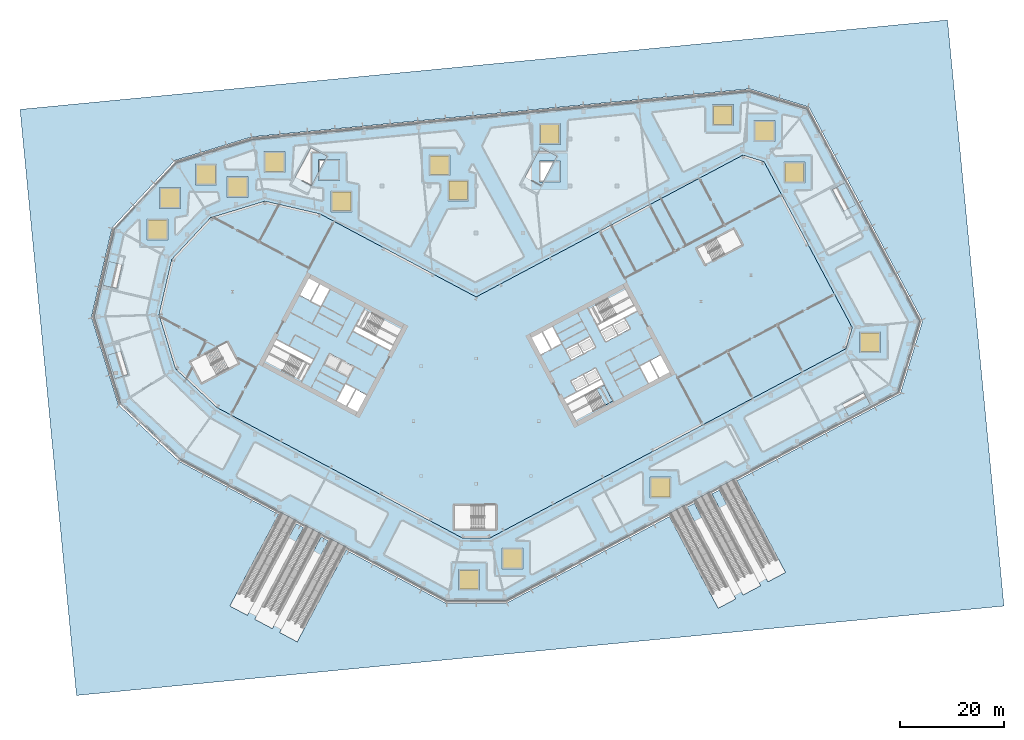
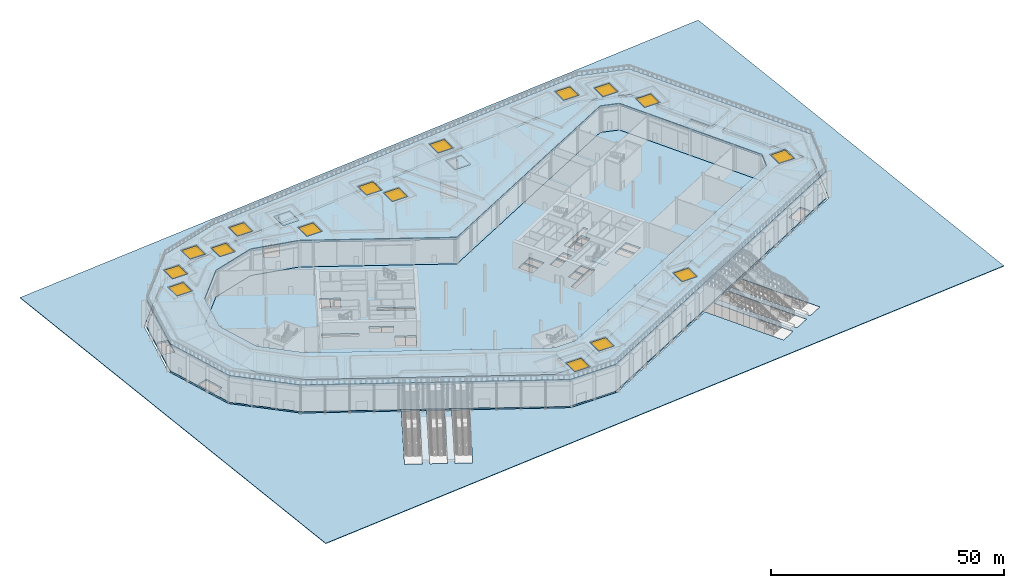
# One storey, part 12 of 57: 16 windows, 6 slabs, 16 openings, 1 element without a shape of its own.
"""IFC4 building model written with IfcOpenShell, lengths in metres."""

from ifc_helpers import new_model, si_unit, direction, frame, origin, origin_2d, place, context, subcontext, project, spatial, polyline, rectangle, outline, extrude, material, layer, layer_set, type_object, element, fill, aggregate, save


model = new_model("IFC4")

# Units and contexts
model_context = context("Model", 3, precision=1e-05, world=origin(), true_north=direction((0.0, 1.0)))
body_context = subcontext(model_context, "Body", "Model", "MODEL_VIEW")
ifc_project = project(units=[si_unit("LENGTHUNIT", "METRE"), si_unit("AREAUNIT", "SQUARE_METRE"), si_unit("VOLUMEUNIT", "CUBIC_METRE"), si_unit("PLANEANGLEUNIT", "RADIAN"), si_unit("MASSUNIT", "GRAM", prefix="KILO")], contexts=[model_context])

# Site, building, storey
site_placement = place(None, origin())
site = spatial("IfcSite", under=ifc_project, at=site_placement, CompositionType="ELEMENT")
building_placement = place(site_placement, origin())
building = spatial("IfcBuilding", under=site, at=building_placement, Name="Cormorant Relay Tower", CompositionType="ELEMENT")
storey_placement = place(building_placement, origin())
storey = spatial("IfcBuildingStorey", under=building, at=storey_placement, Name="L00", CompositionType="ELEMENT", Elevation=0.0)

# Slab
ifc_material_1 = material(Name="Limestone paving", Category="masonry")
ifc_layer_1 = layer(ifc_material_1, 0.050048828125)
ifc_layer_set_1 = layer_set([ifc_layer_1], Name="Deck paving 50")
slab_type_1 = type_object("IfcSlabType", Name="Deck paving 50", PredefinedType="FLOOR", material=ifc_layer_set_1)
slab_1_placement = place(storey_placement, frame((0.0, 0.0, 6.949951171875)))
element("IfcSlab", 1, at=slab_1_placement, inside=storey, type_object=slab_type_1, Name="Deck paving", PredefinedType="FLOOR", context=body_context, shape_type="SweptSolid", body=[
    extrude(outline(polyline([(-5.640869140625, -34.37548828125), (5.640869140625, -34.37548828125), (80.8046875, 5.58984375), (84.95166015625, 19.15380859375), (63.383544921875, 59.71728515625), (52.289794921875, 63.109130859375), (-42.819091796875, 53.942138671875), (-57.4443359375, 49.470703125), (-69.24365234375, 36.8173828125), (-73.135498046875, 19.959716796875), (-68.0771484375, 3.41455078125), (-56.6201171875, -7.269287109375), (-5.640869140625, -34.37548828125)]), holes=[polyline([(2.648681640625, -22.37548828125), (70.7822265625, 13.8515625), (72.022705078125, 17.908935546875), (55.12158203125, 49.695068359375), (51.064453125, 50.935302734375), (0.0, 23.783935546875), (-29.873779296875, 39.668212890625), (-40.465576171875, 42.11328125), (-50.86083984375, 38.935302734375), (-58.2744140625, 30.985107421875), (-60.7197265625, 20.393310546875), (-57.541748046875, 9.997802734375), (-49.591552734375, 2.584228515625), (-2.648681640625, -22.37548828125), (2.648681640625, -22.37548828125)]), polyline([(-59.02392578125, 38.719970703125), (-63.02392578125, 38.719970703125), (-63.02392578125, 34.719970703125), (-59.02392578125, 34.719970703125), (-59.02392578125, 38.719970703125)]), polyline([(-23.760009765625, 44.093017578125), (-27.760009765625, 44.093017578125), (-27.760009765625, 40.093017578125), (-23.760009765625, 40.093017578125), (-23.760009765625, 44.093017578125)]), polyline([(-56.6240234375, 44.719970703125), (-60.6240234375, 44.719970703125), (-60.6240234375, 40.719970703125), (-56.6240234375, 40.719970703125), (-56.6240234375, 44.719970703125)]), polyline([(-1.425048828125, 46.196044921875), (-5.425048828125, 46.196044921875), (-5.425048828125, 42.196044921875), (-1.425048828125, 42.196044921875), (-1.425048828125, 46.196044921875)]), polyline([(-43.7060546875, 46.843017578125), (-47.7060546875, 46.843017578125), (-47.7060546875, 42.843017578125), (-43.7060546875, 42.843017578125), (-43.7060546875, 46.843017578125)]), polyline([(-49.7060546875, 49.242919921875), (-53.7060546875, 49.242919921875), (-53.7060546875, 45.242919921875), (-49.7060546875, 45.242919921875), (-49.7060546875, 49.242919921875)]), polyline([(-26.159912109375, 50.093017578125), (-30.159912109375, 50.093017578125), (-30.159912109375, 46.093017578125), (-26.159912109375, 46.093017578125), (-26.159912109375, 50.093017578125)]), polyline([(-5.02490234375, 46.99609375), (-5.02490234375, 50.99609375), (-9.02490234375, 50.99609375), (-9.02490234375, 46.99609375), (-5.02490234375, 46.99609375)]), polyline([(-36.6220703125, 47.597900390625), (-36.6220703125, 51.597900390625), (-40.6220703125, 51.597900390625), (-40.6220703125, 47.597900390625), (-36.6220703125, 47.597900390625)]), polyline([(0.638916015625, -28.3759765625), (-3.361083984375, -28.3759765625), (-3.361083984375, -32.3759765625), (0.638916015625, -32.3759765625), (0.638916015625, -28.3759765625)]), polyline([(8.9580078125, -24.2919921875), (4.9580078125, -24.2919921875), (4.9580078125, -28.2919921875), (8.9580078125, -28.2919921875), (8.9580078125, -24.2919921875)]), polyline([(37.330078125, -10.73388671875), (33.330078125, -10.73388671875), (33.330078125, -14.73388671875), (37.330078125, -14.73388671875), (37.330078125, -10.73388671875)]), polyline([(77.43505859375, 17.113037109375), (73.43505859375, 17.113037109375), (73.43505859375, 13.113037109375), (77.43505859375, 13.113037109375), (77.43505859375, 17.113037109375)]), polyline([(62.930908203125, 49.596923828125), (58.930908203125, 49.596923828125), (58.930908203125, 45.596923828125), (62.930908203125, 45.596923828125), (62.930908203125, 49.596923828125)]), polyline([(16.111083984375, 49.802001953125), (12.111083984375, 49.802001953125), (12.111083984375, 45.802001953125), (16.111083984375, 45.802001953125), (16.111083984375, 49.802001953125)]), polyline([(16.111083984375, 57.001953125), (12.111083984375, 57.001953125), (12.111083984375, 53.001953125), (16.111083984375, 53.001953125), (16.111083984375, 57.001953125)]), polyline([(57.202880859375, 53.548095703125), (57.202880859375, 57.548095703125), (53.202880859375, 57.548095703125), (53.202880859375, 53.548095703125), (57.202880859375, 53.548095703125)]), polyline([(49.24609375, 56.591064453125), (49.24609375, 60.591064453125), (45.24609375, 60.591064453125), (45.24609375, 56.591064453125), (49.24609375, 56.591064453125)])]), origin(), (0.0, 0.0, 1.0), 0.050048828125),
])

# Stair, slab
ifc_material_2 = material(Name="Concrete 40 MPa", Category="concrete")
stair_type = type_object("IfcStairType", Name="Exit stair 1500", PredefinedType="HALF_TURN_STAIR", material=ifc_material_2)
stair_placement = place(storey_placement, origin())
stair = element("IfcStair", 2, at=stair_placement, inside=storey, type_object=stair_type, Name="L00 Stair", PredefinedType="HALF_TURN_STAIR")
ifc_material_3 = material(Name="Concrete 40 MPa", Category="concrete")
ifc_layer_2 = layer(ifc_material_3, 0.199951171875)
ifc_layer_set_2 = layer_set([ifc_layer_2], Name="Exit stair landing 200")
slab_type_2 = type_object("IfcSlabType", Name="Exit stair landing 200", PredefinedType="LANDING", material=ifc_layer_set_2)
slab_2_placement = place(storey_placement, frame((0.0, 0.0, 3.300048828125)))
slab_2 = element("IfcSlab", 3, at=slab_2_placement, type_object=slab_type_2, Name="B1 landing 2", PredefinedType="LANDING", context=body_context, shape_type="SweptSolid", body=[
    extrude(outline(polyline([(24.5439453125, 6.877685546875), (23.087158203125, 6.10302734375), (24.706787109375, 3.056884765625), (26.16357421875, 3.83154296875), (24.5439453125, 6.877685546875)])), origin(), (0.0, 0.0, 1.0), 0.199951171875),
])
aggregate(stair, [slab_2])

# Slab
ifc_material_4 = material(Name="Concrete 40 MPa", Category="concrete")
ifc_layer_3 = layer(ifc_material_4, 0.449951171875)
ifc_layer_set_3 = layer_set([ifc_layer_3], Name="Flat plate 450")
slab_type_3 = type_object("IfcSlabType", Name="Flat plate 450", PredefinedType="FLOOR", material=ifc_layer_set_3)
slab_3_placement = place(storey_placement, frame((0.0, 0.0, -0.449951171875)))
element("IfcSlab", 4, at=slab_3_placement, inside=storey, type_object=slab_type_3, Name="Floor slab L00", PredefinedType="FLOOR", context=body_context, shape_type="SweptSolid", body=[
    extrude(outline(polyline([(-57.541748046875, 9.997802734375), (-60.7197265625, 20.393310546875), (-58.2744140625, 30.985107421875), (-50.86083984375, 38.935302734375), (-40.465576171875, 42.11328125), (-29.873779296875, 39.668212890625), (0.0, 23.783935546875), (51.064453125, 50.935302734375), (55.12158203125, 49.695068359375), (72.022705078125, 17.908935546875), (70.7822265625, 13.8515625), (2.648681640625, -22.37548828125), (-2.648681640625, -22.37548828125), (-49.591552734375, 2.584228515625), (-57.541748046875, 9.997802734375)]), holes=[polyline([(-4.199951171875, -16.125), (-4.199951171875, -20.675048828125), (1.60009765625, -20.675048828125), (1.60009765625, -16.125), (-4.199951171875, -16.125)]), polyline([(-22.95458984375, 6.03271484375), (-24.668212890625, 2.81005859375), (-22.725830078125, 1.777099609375), (-21.01220703125, 5.0), (-23.04296875, 6.07958984375), (-22.95458984375, 6.03271484375)]), polyline([(-24.985595703125, 7.112548828125), (-26.69921875, 3.889892578125), (-24.844970703125, 2.90380859375), (-23.13134765625, 6.126708984375), (-23.04296875, 6.07958984375), (-24.985595703125, 7.112548828125)]), polyline([(-25.656005859375, 11.602783203125), (-26.688720703125, 9.660400390625), (-24.481201171875, 8.48681640625), (-23.448486328125, 10.42919921875), (-25.656005859375, 11.602783203125)]), polyline([(-29.07275390625, 10.927978515625), (-26.865234375, 9.75439453125), (-25.83251953125, 11.69677734375), (-28.039794921875, 12.870361328125), (-29.07275390625, 10.927978515625)]), polyline([(-38.75390625, 14.659912109375), (-31.690185546875, 10.904052734375), (-31.197265625, 11.8310546875), (-38.260986328125, 15.5869140625), (-38.75390625, 14.659912109375)]), polyline([(14.3056640625, 13.779052734375), (12.592041015625, 17.001708984375), (10.649658203125, 15.968994140625), (12.36328125, 12.74609375), (14.39404296875, 13.825927734375), (14.3056640625, 13.779052734375)]), polyline([(16.33642578125, 14.85888671875), (14.622802734375, 18.08154296875), (12.768798828125, 17.095703125), (14.482421875, 13.872802734375), (14.39404296875, 13.825927734375), (16.33642578125, 14.85888671875)]), polyline([(-16.481689453125, 13.520263671875), (-15.989013671875, 14.447509765625), (-23.052490234375, 18.203125), (-23.54541015625, 17.276123046875), (-16.481689453125, 13.520263671875)]), polyline([(-29.75732421875, 21.99462890625), (-28.043701171875, 25.217529296875), (-29.89794921875, 26.203369140625), (-31.611572265625, 22.980712890625), (-29.75732421875, 21.99462890625)]), polyline([(-32.01708984375, 27.330078125), (-33.73046875, 24.107421875), (-31.7880859375, 23.074462890625), (-30.074462890625, 26.29736328125), (-32.01708984375, 27.330078125)]), polyline([(16.8935546875, 4.2255859375), (17.386474609375, 3.298583984375), (24.4501953125, 7.054443359375), (23.957275390625, 7.9814453125), (16.8935546875, 4.2255859375)]), polyline([(20.446533203125, 8.8330078125), (18.239013671875, 7.6591796875), (19.27197265625, 5.716796875), (21.479248046875, 6.890380859375), (20.446533203125, 8.8330078125)]), polyline([(20.623046875, 8.927001953125), (21.656005859375, 6.984375), (23.86328125, 8.158203125), (22.830322265625, 10.1005859375), (20.623046875, 8.927001953125)]), polyline([(33.197021484375, 11.478515625), (31.3427734375, 10.49267578125), (33.056396484375, 7.27001953125), (34.910400390625, 8.255859375), (33.197021484375, 11.478515625)]), polyline([(33.37353515625, 11.572509765625), (35.087158203125, 8.349609375), (37.029541015625, 9.382568359375), (35.31591796875, 12.605224609375), (33.37353515625, 11.572509765625)]), polyline([(19.401123046875, 14.84619140625), (17.19384765625, 13.67236328125), (18.2265625, 11.72998046875), (20.43408203125, 12.903564453125), (19.401123046875, 14.84619140625)]), polyline([(21.78515625, 16.113525390625), (19.57763671875, 14.93994140625), (20.610595703125, 12.99755859375), (22.81787109375, 14.171142578125), (21.78515625, 16.113525390625)]), polyline([(23.81591796875, 17.193359375), (24.8486328125, 15.2509765625), (27.05615234375, 16.424560546875), (26.023193359375, 18.3671875), (23.81591796875, 17.193359375)]), polyline([(29.440185546875, 17.692138671875), (28.4072265625, 19.634765625), (26.19970703125, 18.4609375), (27.232666015625, 16.5185546875), (29.440185546875, 17.692138671875)]), polyline([(30.78564453125, 21.125732421875), (30.29248046875, 22.052978515625), (23.22900390625, 18.297119140625), (23.721923828125, 17.3701171875), (30.78564453125, 21.125732421875)])]), origin(), (0.0, 0.0, 1.0), 0.449951171875),
])

# Slab, openings, windows
ifc_material_5 = material(Name="Concrete 50 MPa", Category="concrete")
ifc_layer_4 = layer(ifc_material_5, 0.550048828125)
ifc_layer_set_4 = layer_set([ifc_layer_4], Name="Garden deck slab 550")
slab_type_4 = type_object("IfcSlabType", Name="Garden deck slab 550", PredefinedType="FLOOR", material=ifc_layer_set_4)
slab_4_placement = place(storey_placement, frame((0.0, 0.0, 6.3701171875)))
slab_4 = element("IfcSlab", 5, at=slab_4_placement, inside=storey, type_object=slab_type_4, Name="Garden deck slab", PredefinedType="FLOOR", context=body_context, shape_type="SweptSolid", body=[
    extrude(outline(polyline([(-5.640869140625, -34.37548828125), (5.640869140625, -34.37548828125), (80.8046875, 5.58984375), (84.95166015625, 19.15380859375), (63.383544921875, 59.71728515625), (52.289794921875, 63.109130859375), (-42.819091796875, 53.942138671875), (-57.4443359375, 49.470703125), (-69.24365234375, 36.8173828125), (-73.135498046875, 19.959716796875), (-68.0771484375, 3.41455078125), (-56.6201171875, -7.269287109375), (-5.640869140625, -34.37548828125)]), holes=[polyline([(2.648681640625, -22.37548828125), (70.7822265625, 13.8515625), (72.022705078125, 17.908935546875), (55.12158203125, 49.695068359375), (51.064453125, 50.935302734375), (0.0, 23.783935546875), (-29.873779296875, 39.668212890625), (-40.465576171875, 42.11328125), (-50.86083984375, 38.935302734375), (-58.2744140625, 30.985107421875), (-60.7197265625, 20.393310546875), (-57.541748046875, 9.997802734375), (-49.591552734375, 2.584228515625), (-2.648681640625, -22.37548828125), (2.648681640625, -22.37548828125)]), polyline([(12.354736328125, 52.341552734375), (8.59912109375, 45.278076171875), (11.645263671875, 43.658447265625), (15.40087890625, 50.721923828125), (12.354736328125, 52.341552734375)]), polyline([(-31.645263671875, 52.341552734375), (-35.40087890625, 45.278076171875), (-32.354736328125, 43.658447265625), (-28.59912109375, 50.721923828125), (-31.645263671875, 52.341552734375)])]), origin(), (0.0, 0.0, 1.0), 0.5498046875),
])
opening_1_placement = place(slab_4_placement, frame((6.9580078125, -26.2919921875, 0.0)))
opening_1 = element("IfcOpeningElement", 6, at=opening_1_placement, cuts=slab_4, Name="Opening PWN2-015", PredefinedType="OPENING", context=body_context, shape_type="SweptSolid", body=[
    extrude(rectangle(XDim=3.60009765625, YDim=3.60009765625, at=origin_2d()), origin(), (0.0, 0.0, 1.0), 0.5498046875),
])
opening_2_placement = place(slab_4_placement, frame((35.330078125, -12.73388671875, 0.0)))
opening_2 = element("IfcOpeningElement", 7, at=opening_2_placement, cuts=slab_4, Name="Opening PWN2-014", PredefinedType="OPENING", context=body_context, shape_type="SweptSolid", body=[
    extrude(rectangle(XDim=3.60009765625, YDim=3.60009765625, at=origin_2d()), origin(), (0.0, 0.0, 1.0), 0.5498046875),
])
opening_3_placement = place(slab_4_placement, frame((75.43505859375, 15.113037109375, 0.0)))
opening_3 = element("IfcOpeningElement", 8, at=opening_3_placement, cuts=slab_4, Name="Opening PWN2-013", PredefinedType="OPENING", context=body_context, shape_type="SweptSolid", body=[
    extrude(rectangle(XDim=3.60009765625, YDim=3.60009765625, at=origin_2d()), origin(), (0.0, 0.0, 1.0), 0.5498046875),
])
opening_4_placement = place(slab_4_placement, frame((60.930908203125, 47.596923828125, 0.0)))
opening_4 = element("IfcOpeningElement", 9, at=opening_4_placement, cuts=slab_4, Name="Opening PWN2-006", PredefinedType="OPENING", context=body_context, shape_type="SweptSolid", body=[
    extrude(rectangle(XDim=3.60009765625, YDim=3.60009765625, at=origin_2d()), origin(), (0.0, 0.0, 1.0), 0.5498046875),
])
opening_5_placement = place(slab_4_placement, frame((55.202880859375, 55.548095703125, 0.0)))
opening_5 = element("IfcOpeningElement", 10, at=opening_5_placement, cuts=slab_4, Name="Opening PWN2-002", PredefinedType="OPENING", context=body_context, shape_type="SweptSolid", body=[
    extrude(rectangle(XDim=3.60009765625, YDim=3.60009765625, at=origin_2d()), origin(), (0.0, 0.0, 1.0), 0.5498046875),
])
opening_6_placement = place(slab_4_placement, frame((47.24609375, 58.591064453125, 0.0)))
opening_6 = element("IfcOpeningElement", 11, at=opening_6_placement, cuts=slab_4, Name="Opening PWN2-001", PredefinedType="OPENING", context=body_context, shape_type="SweptSolid", body=[
    extrude(rectangle(XDim=3.60009765625, YDim=3.60009765625, at=origin_2d()), origin(), (0.0, 0.0, 1.0), 0.5498046875),
])
opening_7_placement = place(slab_4_placement, frame((14.111083984375, 55.001953125, 0.0)))
opening_7 = element("IfcOpeningElement", 12, at=opening_7_placement, cuts=slab_4, Name="Opening PWN2-003", PredefinedType="OPENING", context=body_context, shape_type="SweptSolid", body=[
    extrude(rectangle(XDim=3.60009765625, YDim=3.60009765625, at=origin_2d()), origin(), (0.0, 0.0, 1.0), 0.5498046875),
])
opening_8_placement = place(slab_4_placement, frame((-7.02490234375, 48.99609375, 0.0)))
opening_8 = element("IfcOpeningElement", 13, at=opening_8_placement, cuts=slab_4, Name="Opening PWN2-005", PredefinedType="OPENING", context=body_context, shape_type="SweptSolid", body=[
    extrude(rectangle(XDim=3.60009765625, YDim=3.60009765625, at=origin_2d()), origin(), (0.0, 0.0, 1.0), 0.5498046875),
])
opening_9_placement = place(slab_4_placement, frame((-3.425048828125, 44.196044921875, 0.0)))
opening_9 = element("IfcOpeningElement", 14, at=opening_9_placement, cuts=slab_4, Name="Opening PWN2-009", PredefinedType="OPENING", context=body_context, shape_type="SweptSolid", body=[
    extrude(rectangle(XDim=3.60009765625, YDim=3.60009765625, at=origin_2d()), origin(), (0.0, 0.0, 1.0), 0.5498046875),
])
opening_10_placement = place(slab_4_placement, frame((-25.760009765625, 42.093017578125, 0.0)))
opening_10 = element("IfcOpeningElement", 15, at=opening_10_placement, cuts=slab_4, Name="Opening PWN2-011", PredefinedType="OPENING", context=body_context, shape_type="SweptSolid", body=[
    extrude(rectangle(XDim=3.60009765625, YDim=3.60009765625, at=origin_2d()), origin(), (0.0, 0.0, 1.0), 0.5498046875),
])
opening_11_placement = place(slab_4_placement, frame((-38.6220703125, 49.597900390625, 0.0)))
opening_11 = element("IfcOpeningElement", 16, at=opening_11_placement, cuts=slab_4, Name="Opening PWN2-004", PredefinedType="OPENING", context=body_context, shape_type="SweptSolid", body=[
    extrude(rectangle(XDim=3.60009765625, YDim=3.60009765625, at=origin_2d()), origin(), (0.0, 0.0, 1.0), 0.5498046875),
])
opening_12_placement = place(slab_4_placement, frame((-51.7060546875, 47.242919921875, 0.0)))
opening_12 = element("IfcOpeningElement", 17, at=opening_12_placement, cuts=slab_4, Name="Opening PWN2-007", PredefinedType="OPENING", context=body_context, shape_type="SweptSolid", body=[
    extrude(rectangle(XDim=3.60009765625, YDim=3.60009765625, at=origin_2d()), origin(), (0.0, 0.0, 1.0), 0.5498046875),
])
opening_13_placement = place(slab_4_placement, frame((-45.7060546875, 44.843017578125, 0.0)))
opening_13 = element("IfcOpeningElement", 18, at=opening_13_placement, cuts=slab_4, Name="Opening PWN2-008", PredefinedType="OPENING", context=body_context, shape_type="SweptSolid", body=[
    extrude(rectangle(XDim=3.60009765625, YDim=3.60009765625, at=origin_2d()), origin(), (0.0, 0.0, 1.0), 0.5498046875),
])
opening_14_placement = place(slab_4_placement, frame((-61.02392578125, 36.719970703125, 0.0)))
opening_14 = element("IfcOpeningElement", 19, at=opening_14_placement, cuts=slab_4, Name="Opening PWN2-012", PredefinedType="OPENING", context=body_context, shape_type="SweptSolid", body=[
    extrude(rectangle(XDim=3.60009765625, YDim=3.60009765625, at=origin_2d()), origin(), (0.0, 0.0, 1.0), 0.5498046875),
])
opening_15_placement = place(slab_4_placement, frame((-58.6240234375, 42.719970703125, 0.0)))
opening_15 = element("IfcOpeningElement", 20, at=opening_15_placement, cuts=slab_4, Name="Opening PWN2-010", PredefinedType="OPENING", context=body_context, shape_type="SweptSolid", body=[
    extrude(rectangle(XDim=3.60009765625, YDim=3.60009765625, at=origin_2d()), origin(), (0.0, 0.0, 1.0), 0.5498046875),
])
opening_16_placement = place(slab_4_placement, frame((-1.361083984375, -30.3759765625, 0.0)))
opening_16 = element("IfcOpeningElement", 21, at=opening_16_placement, cuts=slab_4, Name="Opening PWN2-016", PredefinedType="OPENING", context=body_context, shape_type="SweptSolid", body=[
    extrude(rectangle(XDim=3.60009765625, YDim=3.60009765625, at=origin_2d()), origin(), (0.0, 0.0, 1.0), 0.5498046875),
])
ifc_material_6 = material(Name="Aluminium framed laminated glass", Category="aluminium")
window_type = type_object("IfcWindowType", Name="Podium skylight 3600", PartitioningType="SINGLE_PANEL", PredefinedType="SKYLIGHT", material=ifc_material_6)
window_1_placement = place(opening_1_placement, frame((0.0, 0.0, 0.499755859375)))
window_1 = element("IfcWindow", 22, at=window_1_placement, inside=storey, type_object=window_type, Name="Podium rooflight", OverallHeight=3.60009765625, OverallWidth=3.60009765625, PartitioningType="SINGLE_PANEL", PredefinedType="SKYLIGHT", context=body_context, shape_type="SweptSolid", body=[
    extrude(rectangle(XDim=3.60009765625, YDim=3.60009765625, at=origin_2d()), origin(), (0.0, 0.0, 1.0), 0.050048828125),
])
fill(opening_1, window_1)
window_2_placement = place(opening_2_placement, frame((0.0, 0.0, 0.499755859375)))
window_2 = element("IfcWindow", 23, at=window_2_placement, inside=storey, type_object=window_type, Name="Podium rooflight", OverallHeight=3.60009765625, OverallWidth=3.60009765625, PartitioningType="SINGLE_PANEL", PredefinedType="SKYLIGHT", context=body_context, shape_type="SweptSolid", body=[
    extrude(rectangle(XDim=3.60009765625, YDim=3.60009765625, at=origin_2d()), origin(), (0.0, 0.0, 1.0), 0.050048828125),
])
fill(opening_2, window_2)
window_3_placement = place(opening_3_placement, frame((0.0, 0.0, 0.499755859375)))
window_3 = element("IfcWindow", 24, at=window_3_placement, inside=storey, type_object=window_type, Name="Podium rooflight", OverallHeight=3.60009765625, OverallWidth=3.60009765625, PartitioningType="SINGLE_PANEL", PredefinedType="SKYLIGHT", context=body_context, shape_type="SweptSolid", body=[
    extrude(rectangle(XDim=3.60009765625, YDim=3.60009765625, at=origin_2d()), origin(), (0.0, 0.0, 1.0), 0.050048828125),
])
fill(opening_3, window_3)
window_4_placement = place(opening_4_placement, frame((0.0, 0.0, 0.499755859375)))
window_4 = element("IfcWindow", 25, at=window_4_placement, inside=storey, type_object=window_type, Name="Podium rooflight", OverallHeight=3.60009765625, OverallWidth=3.60009765625, PartitioningType="SINGLE_PANEL", PredefinedType="SKYLIGHT", context=body_context, shape_type="SweptSolid", body=[
    extrude(rectangle(XDim=3.60009765625, YDim=3.60009765625, at=origin_2d()), origin(), (0.0, 0.0, 1.0), 0.050048828125),
])
fill(opening_4, window_4)
window_5_placement = place(opening_5_placement, frame((0.0, 0.0, 0.499755859375)))
window_5 = element("IfcWindow", 26, at=window_5_placement, inside=storey, type_object=window_type, Name="Podium rooflight", OverallHeight=3.60009765625, OverallWidth=3.60009765625, PartitioningType="SINGLE_PANEL", PredefinedType="SKYLIGHT", context=body_context, shape_type="SweptSolid", body=[
    extrude(rectangle(XDim=3.60009765625, YDim=3.60009765625, at=origin_2d()), origin(), (0.0, 0.0, 1.0), 0.050048828125),
])
fill(opening_5, window_5)
window_6_placement = place(opening_6_placement, frame((0.0, 0.0, 0.499755859375)))
window_6 = element("IfcWindow", 27, at=window_6_placement, inside=storey, type_object=window_type, Name="Podium rooflight", OverallHeight=3.60009765625, OverallWidth=3.60009765625, PartitioningType="SINGLE_PANEL", PredefinedType="SKYLIGHT", context=body_context, shape_type="SweptSolid", body=[
    extrude(rectangle(XDim=3.60009765625, YDim=3.60009765625, at=origin_2d()), origin(), (0.0, 0.0, 1.0), 0.050048828125),
])
fill(opening_6, window_6)
window_7_placement = place(opening_7_placement, frame((0.0, 0.0, 0.499755859375)))
window_7 = element("IfcWindow", 28, at=window_7_placement, inside=storey, type_object=window_type, Name="Podium rooflight", OverallHeight=3.60009765625, OverallWidth=3.60009765625, PartitioningType="SINGLE_PANEL", PredefinedType="SKYLIGHT", context=body_context, shape_type="SweptSolid", body=[
    extrude(rectangle(XDim=3.60009765625, YDim=3.60009765625, at=origin_2d()), origin(), (0.0, 0.0, 1.0), 0.050048828125),
])
fill(opening_7, window_7)
window_8_placement = place(opening_8_placement, frame((0.0, 0.0, 0.499755859375)))
window_8 = element("IfcWindow", 29, at=window_8_placement, inside=storey, type_object=window_type, Name="Podium rooflight", OverallHeight=3.60009765625, OverallWidth=3.60009765625, PartitioningType="SINGLE_PANEL", PredefinedType="SKYLIGHT", context=body_context, shape_type="SweptSolid", body=[
    extrude(rectangle(XDim=3.60009765625, YDim=3.60009765625, at=origin_2d()), origin(), (0.0, 0.0, 1.0), 0.050048828125),
])
fill(opening_8, window_8)
window_9_placement = place(opening_9_placement, frame((0.0, 0.0, 0.499755859375)))
window_9 = element("IfcWindow", 30, at=window_9_placement, inside=storey, type_object=window_type, Name="Podium rooflight", OverallHeight=3.60009765625, OverallWidth=3.60009765625, PartitioningType="SINGLE_PANEL", PredefinedType="SKYLIGHT", context=body_context, shape_type="SweptSolid", body=[
    extrude(rectangle(XDim=3.60009765625, YDim=3.60009765625, at=origin_2d()), origin(), (0.0, 0.0, 1.0), 0.050048828125),
])
fill(opening_9, window_9)
window_10_placement = place(opening_10_placement, frame((0.0, 0.0, 0.499755859375)))
window_10 = element("IfcWindow", 31, at=window_10_placement, inside=storey, type_object=window_type, Name="Podium rooflight", OverallHeight=3.60009765625, OverallWidth=3.60009765625, PartitioningType="SINGLE_PANEL", PredefinedType="SKYLIGHT", context=body_context, shape_type="SweptSolid", body=[
    extrude(rectangle(XDim=3.60009765625, YDim=3.60009765625, at=origin_2d()), origin(), (0.0, 0.0, 1.0), 0.050048828125),
])
fill(opening_10, window_10)
window_11_placement = place(opening_11_placement, frame((0.0, 0.0, 0.499755859375)))
window_11 = element("IfcWindow", 32, at=window_11_placement, inside=storey, type_object=window_type, Name="Podium rooflight", OverallHeight=3.60009765625, OverallWidth=3.60009765625, PartitioningType="SINGLE_PANEL", PredefinedType="SKYLIGHT", context=body_context, shape_type="SweptSolid", body=[
    extrude(rectangle(XDim=3.60009765625, YDim=3.60009765625, at=origin_2d()), origin(), (0.0, 0.0, 1.0), 0.050048828125),
])
fill(opening_11, window_11)
window_12_placement = place(opening_12_placement, frame((0.0, 0.0, 0.499755859375)))
window_12 = element("IfcWindow", 33, at=window_12_placement, inside=storey, type_object=window_type, Name="Podium rooflight", OverallHeight=3.60009765625, OverallWidth=3.60009765625, PartitioningType="SINGLE_PANEL", PredefinedType="SKYLIGHT", context=body_context, shape_type="SweptSolid", body=[
    extrude(rectangle(XDim=3.60009765625, YDim=3.60009765625, at=origin_2d()), origin(), (0.0, 0.0, 1.0), 0.050048828125),
])
fill(opening_12, window_12)
window_13_placement = place(opening_13_placement, frame((0.0, 0.0, 0.499755859375)))
window_13 = element("IfcWindow", 34, at=window_13_placement, inside=storey, type_object=window_type, Name="Podium rooflight", OverallHeight=3.60009765625, OverallWidth=3.60009765625, PartitioningType="SINGLE_PANEL", PredefinedType="SKYLIGHT", context=body_context, shape_type="SweptSolid", body=[
    extrude(rectangle(XDim=3.60009765625, YDim=3.60009765625, at=origin_2d()), origin(), (0.0, 0.0, 1.0), 0.050048828125),
])
fill(opening_13, window_13)
window_14_placement = place(opening_14_placement, frame((0.0, 0.0, 0.499755859375)))
window_14 = element("IfcWindow", 35, at=window_14_placement, inside=storey, type_object=window_type, Name="Podium rooflight", OverallHeight=3.60009765625, OverallWidth=3.60009765625, PartitioningType="SINGLE_PANEL", PredefinedType="SKYLIGHT", context=body_context, shape_type="SweptSolid", body=[
    extrude(rectangle(XDim=3.60009765625, YDim=3.60009765625, at=origin_2d()), origin(), (0.0, 0.0, 1.0), 0.050048828125),
])
fill(opening_14, window_14)
window_15_placement = place(opening_15_placement, frame((0.0, 0.0, 0.499755859375)))
window_15 = element("IfcWindow", 36, at=window_15_placement, inside=storey, type_object=window_type, Name="Podium rooflight", OverallHeight=3.60009765625, OverallWidth=3.60009765625, PartitioningType="SINGLE_PANEL", PredefinedType="SKYLIGHT", context=body_context, shape_type="SweptSolid", body=[
    extrude(rectangle(XDim=3.60009765625, YDim=3.60009765625, at=origin_2d()), origin(), (0.0, 0.0, 1.0), 0.050048828125),
])
fill(opening_15, window_15)
window_16_placement = place(opening_16_placement, frame((0.0, 0.0, 0.499755859375)))
window_16 = element("IfcWindow", 37, at=window_16_placement, inside=storey, type_object=window_type, Name="Podium rooflight", OverallHeight=3.60009765625, OverallWidth=3.60009765625, PartitioningType="SINGLE_PANEL", PredefinedType="SKYLIGHT", context=body_context, shape_type="SweptSolid", body=[
    extrude(rectangle(XDim=3.60009765625, YDim=3.60009765625, at=origin_2d()), origin(), (0.0, 0.0, 1.0), 0.050048828125),
])
fill(opening_16, window_16)

# Slabs
ifc_material_7 = material(Name="Concrete 40 MPa", Category="concrete")
ifc_layer_5 = layer(ifc_material_7, 0.449951171875)
ifc_layer_set_5 = layer_set([ifc_layer_5], Name="Ground floor slab 450")
slab_type_5 = type_object("IfcSlabType", Name="Ground floor slab 450", PredefinedType="FLOOR", material=ifc_layer_set_5)
slab_5_placement = place(storey_placement, frame((0.0, 0.0, -0.449951171875)))
element("IfcSlab", 38, at=slab_5_placement, inside=storey, type_object=slab_type_5, Name="Floor slab", PredefinedType="FLOOR", context=body_context, shape_type="SweptSolid", body=[
    extrude(outline(polyline([(-5.640869140625, -34.37548828125), (5.640869140625, -34.37548828125), (80.8046875, 5.58984375), (84.95166015625, 19.15380859375), (63.383544921875, 59.71728515625), (52.289794921875, 63.109130859375), (-42.819091796875, 53.942138671875), (-57.4443359375, 49.470703125), (-69.24365234375, 36.8173828125), (-73.135498046875, 19.959716796875), (-68.0771484375, 3.41455078125), (-56.6201171875, -7.269287109375), (-5.640869140625, -34.37548828125)]), holes=[polyline([(2.648681640625, -22.37548828125), (70.7822265625, 13.8515625), (72.022705078125, 17.908935546875), (55.12158203125, 49.695068359375), (51.064453125, 50.935302734375), (0.0, 23.783935546875), (-29.873779296875, 39.668212890625), (-40.465576171875, 42.11328125), (-50.86083984375, 38.935302734375), (-58.2744140625, 30.985107421875), (-60.7197265625, 20.393310546875), (-57.541748046875, 9.997802734375), (-49.591552734375, 2.584228515625), (-2.648681640625, -22.37548828125), (2.648681640625, -22.37548828125)]), polyline([(74.236083984375, 5.438232421875), (70.174560546875, 3.27880859375), (71.37158203125, 1.027099609375), (75.43310546875, 3.186767578125), (74.236083984375, 5.438232421875)]), polyline([(-66.68408203125, 8.94775390625), (-68.029052734375, 13.3466796875), (-70.467529296875, 12.601318359375), (-69.122802734375, 8.2021484375), (-66.68408203125, 8.94775390625)]), polyline([(-68.840087890625, 25.451171875), (-67.805419921875, 29.933349609375), (-70.2900390625, 30.507080078125), (-71.32470703125, 26.02490234375), (-68.840087890625, 25.451171875)]), polyline([(68.226318359375, 44.32568359375), (70.385986328125, 40.264404296875), (72.637451171875, 41.46142578125), (70.477783203125, 45.52294921875), (68.226318359375, 44.32568359375)]), polyline([(-31.645263671875, 52.341552734375), (-34.626220703125, 46.73486328125), (-31.580078125, 45.115234375), (-28.59912109375, 50.721923828125), (-31.645263671875, 52.341552734375)]), polyline([(12.354736328125, 52.341552734375), (9.373779296875, 46.73486328125), (12.419921875, 45.115234375), (15.40087890625, 50.721923828125), (12.354736328125, 52.341552734375)])]), origin(), (0.0, 0.0, 1.0), 0.449951171875),
])
ifc_material_8 = material(Name="Granite paving", Category="masonry")
ifc_layer_6 = layer(ifc_material_8, 0.14990234375)
ifc_layer_set_6 = layer_set([ifc_layer_6], Name="Site paving 150")
slab_type_6 = type_object("IfcSlabType", Name="Site paving 150", PredefinedType="USERDEFINED", material=ifc_layer_set_6)
slab_6_placement = place(storey_placement, frame((0.0, 0.0, -0.14990234375)))
element("IfcSlab", 39, at=slab_6_placement, inside=storey, type_object=slab_type_6, Name="Site paving", ObjectType="PAVING", PredefinedType="USERDEFINED", context=body_context, shape_type="SweptSolid", body=[
    extrude(outline(polyline([(-76.529541015625, -52.53564453125), (101.08544921875, -35.41650390625), (90.26806640625, 76.81591796875), (-87.346923828125, 59.69677734375), (-76.529541015625, -52.53564453125)]), holes=[polyline([(-34.26220703125, -42.26171875), (-32.759765625, -39.436279296875), (-24.919677734375, -24.691162109375), (-5.765380859375, -34.87548828125), (5.765380859375, -34.87548828125), (37.011962890625, -18.261474609375), (44.85205078125, -33.006591796875), (46.3544921875, -35.83203125), (49.709716796875, -34.048095703125), (48.207275390625, -31.22265625), (40.3671875, -16.4775390625), (41.77978515625, -15.726318359375), (49.6201171875, -30.4716796875), (51.122314453125, -33.297119140625), (54.4775390625, -31.512939453125), (52.97509765625, -28.6875), (45.135009765625, -13.9423828125), (46.5478515625, -13.191162109375), (54.387939453125, -27.936279296875), (55.890380859375, -30.761962890625), (59.24560546875, -28.977783203125), (57.7431640625, -26.15234375), (49.903076171875, -11.4072265625), (81.222412109375, 5.24560546875), (85.490234375, 19.205810546875), (63.727783203125, 60.135009765625), (52.3408203125, 63.616455078125), (-42.9169921875, 54.43505859375), (-57.718505859375, 49.909912109375), (-69.70068359375, 37.060546875), (-73.65283203125, 19.941650390625), (-68.51611328125, 3.140380859375), (-56.9130859375, -7.679931640625), (-37.810791015625, -17.8369140625), (-45.65087890625, -32.58203125), (-47.1533203125, -35.407470703125), (-43.798095703125, -37.19140625), (-42.295654296875, -34.365966796875), (-34.45556640625, -19.620849609375), (-33.042724609375, -20.371826171875), (-40.883056640625, -35.1171875), (-42.38525390625, -37.942626953125), (-39.030029296875, -39.7265625), (-37.52783203125, -36.901123046875), (-29.6875, -22.156005859375), (-28.27490234375, -22.906982421875), (-36.114990234375, -37.65234375), (-37.6171875, -40.477783203125), (-34.26220703125, -42.26171875)])]), origin(), (0.0, 0.0, 1.0), 0.14990234375),
])

save(model, "model.ifc")
